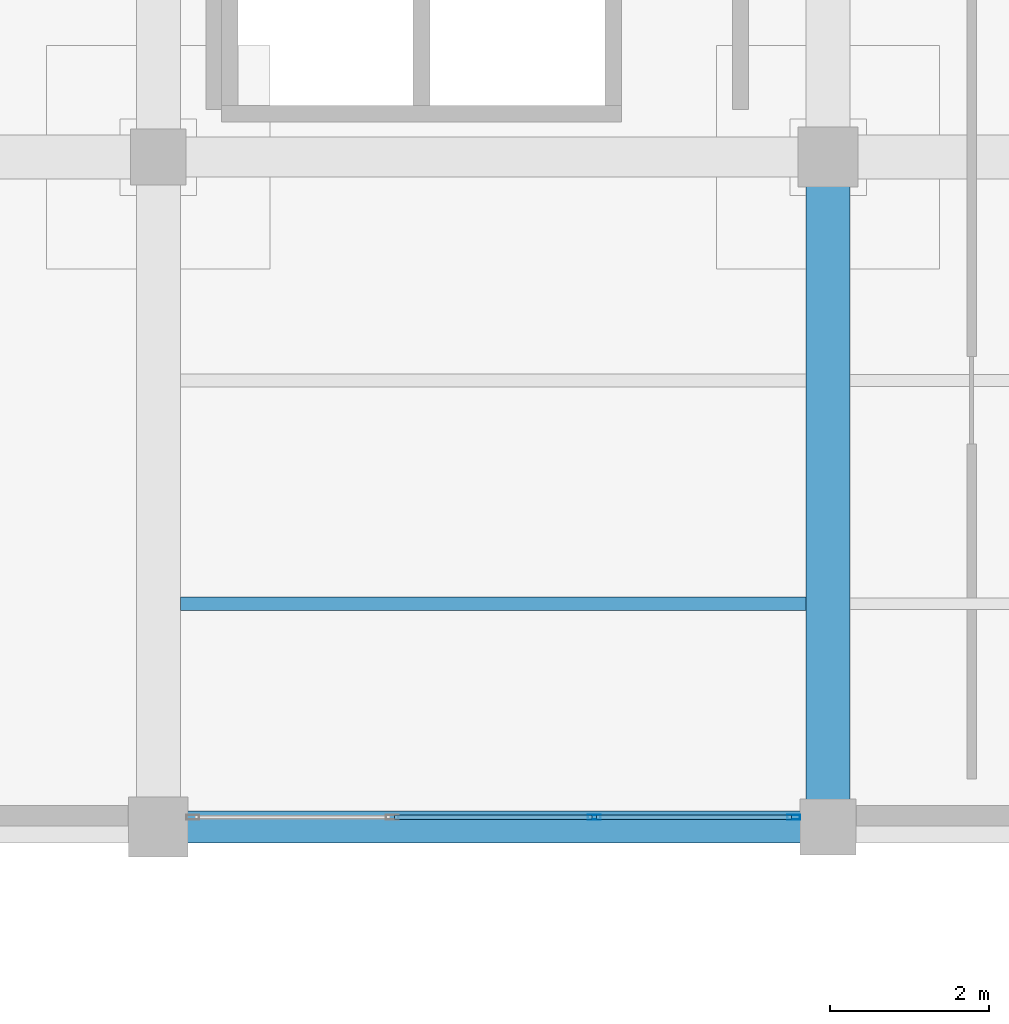
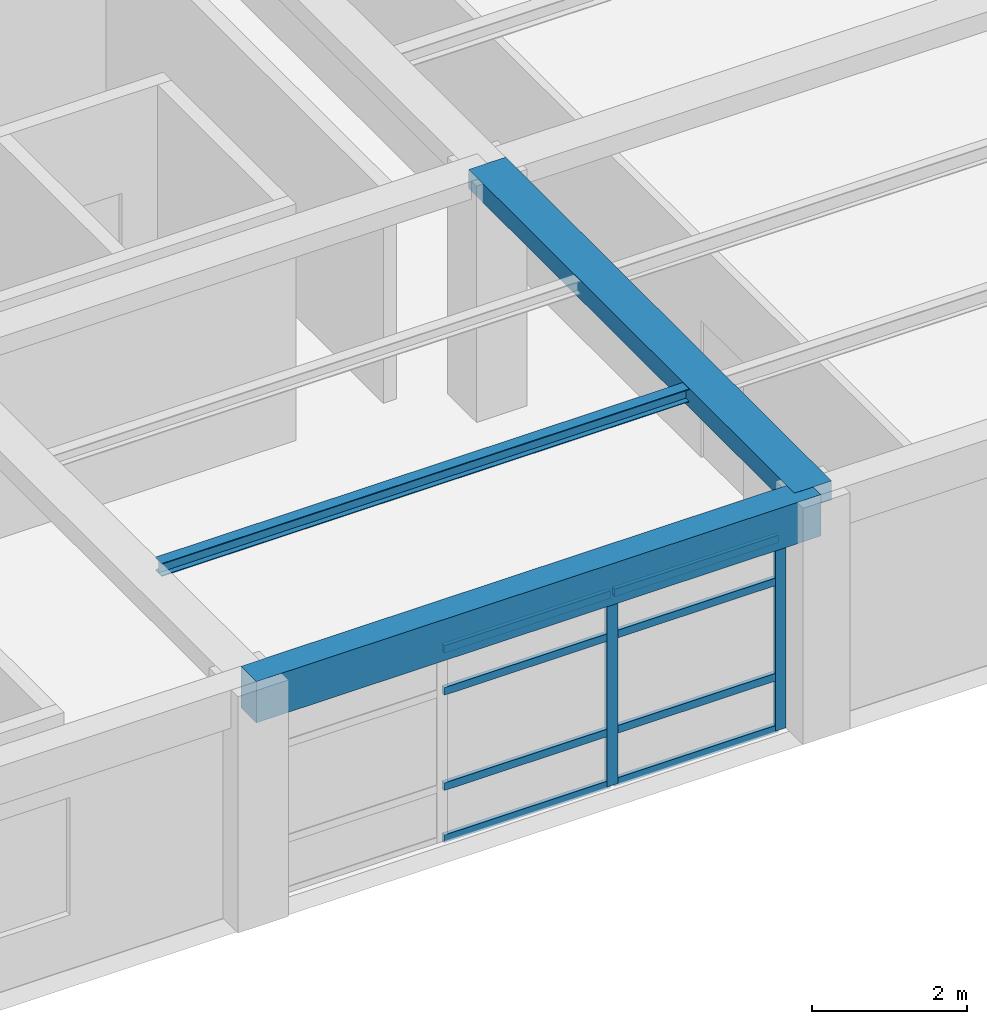
# One storey, part 13 of 35: 10 members, 3 beams, 1 element without a shape of its own.
"""IFC4 building model written with IfcOpenShell, lengths in metres."""

from ifc_helpers import new_model, si_unit, direction, frame, origin, origin_2d, place, context, subcontext, project, spatial, rectangle, hollow_rectangle, i_section, extrude, material, material_profile, profile_set, type_object, element, aggregate, save


model = new_model("IFC4")

# Units and contexts
model_context = context("Model", 3, precision=1e-05, world=origin(), true_north=direction((0.0, 1.0)))
body_context = subcontext(model_context, "Body", "Model", "MODEL_VIEW")
ifc_project = project(units=[si_unit("LENGTHUNIT", "METRE"), si_unit("AREAUNIT", "SQUARE_METRE"), si_unit("VOLUMEUNIT", "CUBIC_METRE"), si_unit("PLANEANGLEUNIT", "RADIAN"), si_unit("MASSUNIT", "GRAM", prefix="KILO")], contexts=[model_context])

# Site, building, storey
site_placement = place(None, origin())
site = spatial("IfcSite", under=ifc_project, at=site_placement, CompositionType="ELEMENT")
building_placement = place(site_placement, origin())
building = spatial("IfcBuilding", under=site, at=building_placement, Name="Almacenes y Pasaje Nevantli", CompositionType="ELEMENT")
storey_placement = place(building_placement, frame((0.0, 0.0, 26.699951171875)))
storey = spatial("IfcBuildingStorey", under=building, at=storey_placement, Name="L06", CompositionType="ELEMENT", Elevation=26.699951171875)

# Beams
ifc_material_1 = material(Name="Concrete C35/45", Category="concrete")
ifc_material_profile_1 = material_profile(ifc_material_1, rectangle(XDim=0.39990234375, YDim=0.64990234375, at=origin_2d()), Name="RC-BM-400x650")
ifc_profile_set_1 = profile_set([ifc_material_profile_1], Name="Concrete C35/45")
beam_type_1 = type_object("IfcBeamType", Name="BM-RC-400x650", PredefinedType="SPANDREL", material=ifc_profile_set_1)
beam_1_placement = place(storey_placement, frame((134.39990234375, 67.199951171875, 3.39501953125), z_axis=(1.0, 0.0, 0.0), x_axis=(0.0, 1.0, 0.0)))
element("IfcBeam", 1, at=beam_1_placement, inside=storey, type_object=beam_type_1, Name="L06 East-West Reinforced Concrete Beam #3576", PredefinedType="SPANDREL", context=body_context, shape_type="SweptSolid", body=[
    extrude(rectangle(XDim=0.39990234375, YDim=0.64990234375, at=origin_2d()), origin(), (0.0, 0.0, 1.0), 8.400146484375),
])
ifc_material_2 = material(Name="Concrete C35/45", Category="concrete")
ifc_material_profile_2 = material_profile(ifc_material_2, rectangle(XDim=0.550048828125, YDim=0.300048828125, at=origin_2d()), Name="RC-BM-550x300")
ifc_profile_set_2 = profile_set([ifc_material_profile_2], Name="Concrete C35/45")
beam_type_2 = type_object("IfcBeamType", Name="BM-RC-550x300", PredefinedType="BEAM", material=ifc_profile_set_2)
beam_2_placement = place(storey_placement, frame((142.800048828125, 67.199951171875, 3.570068359375), z_axis=(0.0, 1.0, 0.0), x_axis=(-1.0, 0.0, 0.0)))
element("IfcBeam", 2, at=beam_2_placement, inside=storey, type_object=beam_type_2, Name="L06 North-South Reinforced Concrete Beam #3617", PredefinedType="BEAM", context=body_context, shape_type="SweptSolid", body=[
    extrude(rectangle(XDim=0.550048828125, YDim=0.300048828125, at=origin_2d()), origin(), (0.0, 0.0, 1.0), 8.400146484375),
])
ifc_material_3 = material(Name="Steel ASTM A992", Category="steel")
ifc_material_profile_3 = material_profile(ifc_material_3, i_section(OverallWidth=0.166015625, OverallDepth=0.205078125, WebThickness=0.007080078125, FlangeThickness=0.01171875, at=origin_2d()), Name="IR 203x41.7")
ifc_profile_set_3 = profile_set([ifc_material_profile_3], Name="Steel ASTM A992")
beam_type_3 = type_object("IfcBeamType", Name="BM-STL-IR-203x41p7", PredefinedType="JOIST", material=ifc_profile_set_3)
beam_3_placement = place(storey_placement, frame((134.675048828125, 70.0, 3.609619140625), z_axis=(1.0, 0.0, 0.0), x_axis=(0.0, 1.0, 0.0)))
element("IfcBeam", 3, at=beam_3_placement, inside=storey, type_object=beam_type_3, Name="L06 Secondary Steel Floor Joist #1367", PredefinedType="JOIST", context=body_context, shape_type="SweptSolid", body=[
    extrude(i_section(OverallWidth=0.166015625, OverallDepth=0.205078125, WebThickness=0.007080078125, FlangeThickness=0.01171875, at=origin_2d()), origin(), (0.0, 0.0, 1.0), 7.849853515625),
])

# Curtain wall, members
ifc_material_4 = material(Name="Thermally Broken Aluminium and Low-E Glass", Category="aluminium")
curtain_wall_type = type_object("IfcCurtainWallType", Name="CW-UNIT-TOWER", PredefinedType="USERDEFINED", material=ifc_material_4)
curtain_wall_placement = place(storey_placement, origin())
curtain_wall = element("IfcCurtainWall", 4, at=curtain_wall_placement, inside=storey, type_object=curtain_wall_type, Name="L06 Tower South Unitized Curtain Wall Bay 17", ObjectType="UNITIZED CURTAIN WALL", PredefinedType="USERDEFINED")
ifc_material_5 = material(Name="Thermally Broken Anodized Aluminium", Category="aluminium")
ifc_material_profile_4 = material_profile(ifc_material_5, hollow_rectangle(XDim=0.06005859375, YDim=0.159912109375, WallThickness=0.00390625, at=origin_2d()), Name="ALU-MUL-60x160")
ifc_profile_set_4 = profile_set([ifc_material_profile_4], Name="Thermally Broken Anodized Aluminium")
member_type_1 = type_object("IfcMemberType", Name="CW-MUL-180", PredefinedType="MULLION", material=ifc_profile_set_4)
member_1_placement = place(storey_placement, frame((139.86669921875, 67.320068359375, 0.0), z_axis=(0.0, 0.0, 1.0), x_axis=(0.0, 1.0, 0.0)))
member_1 = element("IfcMember", 5, at=member_1_placement, type_object=member_type_1, Name="CW-L06-105 mullion 3", PredefinedType="MULLION", context=body_context, shape_type="SweptSolid", body=[
    extrude(hollow_rectangle(XDim=0.06005859375, YDim=0.159912109375, WallThickness=0.00390625, at=origin_2d()), origin(), (0.0, 0.0, 1.0), 3.0400390625),
])
member_2_placement = place(storey_placement, frame((142.3701171875, 67.320068359375, 0.0), z_axis=(0.0, 0.0, 1.0), x_axis=(0.0, 1.0, 0.0)))
member_2 = element("IfcMember", 6, at=member_2_placement, type_object=member_type_1, Name="CW-L06-105 mullion 4", PredefinedType="MULLION", context=body_context, shape_type="SweptSolid", body=[
    extrude(hollow_rectangle(XDim=0.06005859375, YDim=0.159912109375, WallThickness=0.00390625, at=origin_2d()), origin(), (0.0, 0.0, 1.0), 3.0400390625),
])
ifc_material_6 = material(Name="Thermally Broken Anodized Aluminium", Category="aluminium")
ifc_material_profile_5 = material_profile(ifc_material_6, hollow_rectangle(XDim=0.06005859375, YDim=0.1201171875, WallThickness=0.00341796875, at=origin_2d()), Name="ALU-TRN-60x120")
ifc_profile_set_5 = profile_set([ifc_material_profile_5], Name="Thermally Broken Anodized Aluminium")
member_type_2 = type_object("IfcMemberType", Name="CW-TRN-130", PredefinedType="USERDEFINED", material=ifc_profile_set_5)
member_3_placement = place(storey_placement, frame((137.36328125, 67.320068359375, 0.030029296875), z_axis=(1.0, 0.0, 0.0), x_axis=(0.0, 1.0, 0.0)))
member_3 = element("IfcMember", 7, at=member_3_placement, type_object=member_type_2, Name="CW-L06-105 transom 2.1", ObjectType="TRANSOM", PredefinedType="USERDEFINED", context=body_context, shape_type="SweptSolid", body=[
    extrude(hollow_rectangle(XDim=0.06005859375, YDim=0.1201171875, WallThickness=0.00341796875, at=origin_2d()), origin(), (0.0, 0.0, 1.0), 2.473388671875),
])
member_4_placement = place(storey_placement, frame((137.36328125, 67.320068359375, 0.85009765625), z_axis=(1.0, 0.0, 0.0), x_axis=(0.0, 1.0, 0.0)))
member_4 = element("IfcMember", 8, at=member_4_placement, type_object=member_type_2, Name="CW-L06-105 transom 2.2", ObjectType="TRANSOM", PredefinedType="USERDEFINED", context=body_context, shape_type="SweptSolid", body=[
    extrude(hollow_rectangle(XDim=0.06005859375, YDim=0.1201171875, WallThickness=0.00341796875, at=origin_2d()), origin(), (0.0, 0.0, 1.0), 2.473388671875),
])
member_5_placement = place(storey_placement, frame((137.36328125, 67.320068359375, 2.35009765625), z_axis=(1.0, 0.0, 0.0), x_axis=(0.0, 1.0, 0.0)))
member_5 = element("IfcMember", 9, at=member_5_placement, type_object=member_type_2, Name="CW-L06-105 transom 2.3", ObjectType="TRANSOM", PredefinedType="USERDEFINED", context=body_context, shape_type="SweptSolid", body=[
    extrude(hollow_rectangle(XDim=0.06005859375, YDim=0.1201171875, WallThickness=0.00341796875, at=origin_2d()), origin(), (0.0, 0.0, 1.0), 2.473388671875),
])
member_6_placement = place(storey_placement, frame((137.36328125, 67.320068359375, 3.010009765625), z_axis=(1.0, 0.0, 0.0), x_axis=(0.0, 1.0, 0.0)))
member_6 = element("IfcMember", 10, at=member_6_placement, type_object=member_type_2, Name="CW-L06-105 transom 2.4", ObjectType="TRANSOM", PredefinedType="USERDEFINED", context=body_context, shape_type="SweptSolid", body=[
    extrude(hollow_rectangle(XDim=0.06005859375, YDim=0.1201171875, WallThickness=0.00341796875, at=origin_2d()), origin(), (0.0, 0.0, 1.0), 2.473388671875),
])
member_7_placement = place(storey_placement, frame((139.896728515625, 67.320068359375, 0.030029296875), z_axis=(1.0, 0.0, 0.0), x_axis=(0.0, 1.0, 0.0)))
member_7 = element("IfcMember", 11, at=member_7_placement, type_object=member_type_2, Name="CW-L06-105 transom 3.1", ObjectType="TRANSOM", PredefinedType="USERDEFINED", context=body_context, shape_type="SweptSolid", body=[
    extrude(hollow_rectangle(XDim=0.06005859375, YDim=0.1201171875, WallThickness=0.00341796875, at=origin_2d()), origin(), (0.0, 0.0, 1.0), 2.443359375),
])
member_8_placement = place(storey_placement, frame((139.896728515625, 67.320068359375, 0.85009765625), z_axis=(1.0, 0.0, 0.0), x_axis=(0.0, 1.0, 0.0)))
member_8 = element("IfcMember", 12, at=member_8_placement, type_object=member_type_2, Name="CW-L06-105 transom 3.2", ObjectType="TRANSOM", PredefinedType="USERDEFINED", context=body_context, shape_type="SweptSolid", body=[
    extrude(hollow_rectangle(XDim=0.06005859375, YDim=0.1201171875, WallThickness=0.00341796875, at=origin_2d()), origin(), (0.0, 0.0, 1.0), 2.443359375),
])
member_9_placement = place(storey_placement, frame((139.896728515625, 67.320068359375, 2.35009765625), z_axis=(1.0, 0.0, 0.0), x_axis=(0.0, 1.0, 0.0)))
member_9 = element("IfcMember", 13, at=member_9_placement, type_object=member_type_2, Name="CW-L06-105 transom 3.3", ObjectType="TRANSOM", PredefinedType="USERDEFINED", context=body_context, shape_type="SweptSolid", body=[
    extrude(hollow_rectangle(XDim=0.06005859375, YDim=0.1201171875, WallThickness=0.00341796875, at=origin_2d()), origin(), (0.0, 0.0, 1.0), 2.443359375),
])
member_10_placement = place(storey_placement, frame((139.896728515625, 67.320068359375, 3.010009765625), z_axis=(1.0, 0.0, 0.0), x_axis=(0.0, 1.0, 0.0)))
member_10 = element("IfcMember", 14, at=member_10_placement, type_object=member_type_2, Name="CW-L06-105 transom 3.4", ObjectType="TRANSOM", PredefinedType="USERDEFINED", context=body_context, shape_type="SweptSolid", body=[
    extrude(hollow_rectangle(XDim=0.06005859375, YDim=0.1201171875, WallThickness=0.00341796875, at=origin_2d()), origin(), (0.0, 0.0, 1.0), 2.443359375),
])
aggregate(curtain_wall, [member_1, member_2, member_3, member_4, member_5, member_6, member_7, member_8, member_9, member_10])

save(model, "model.ifc")
